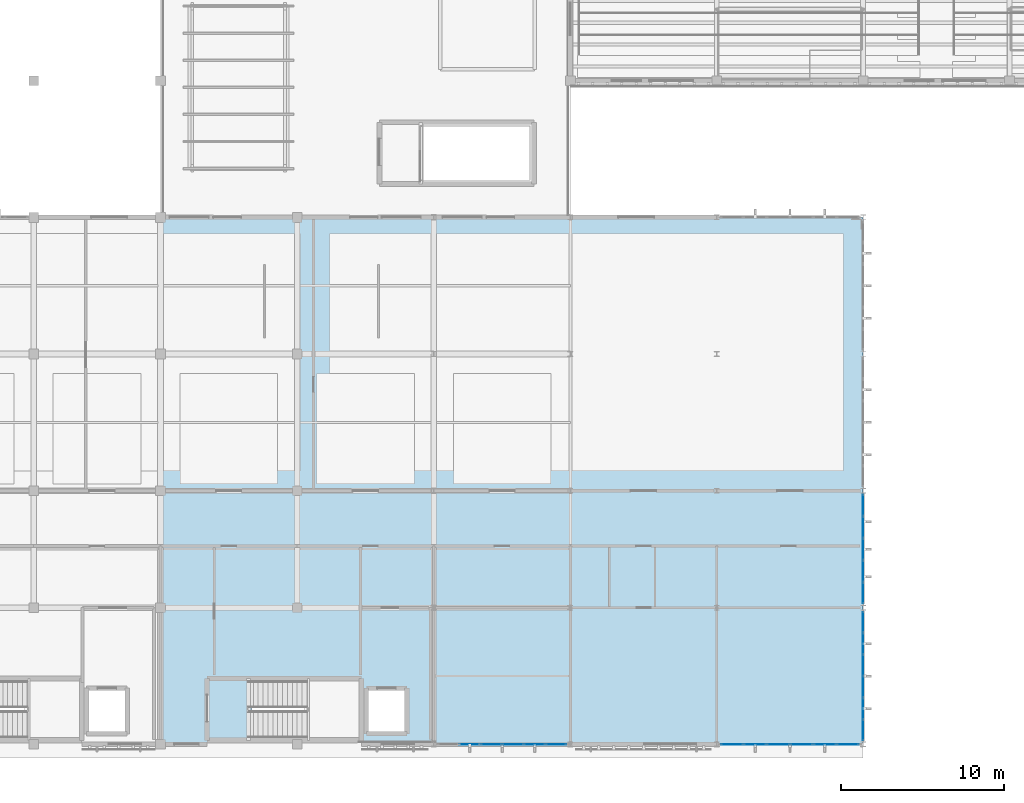
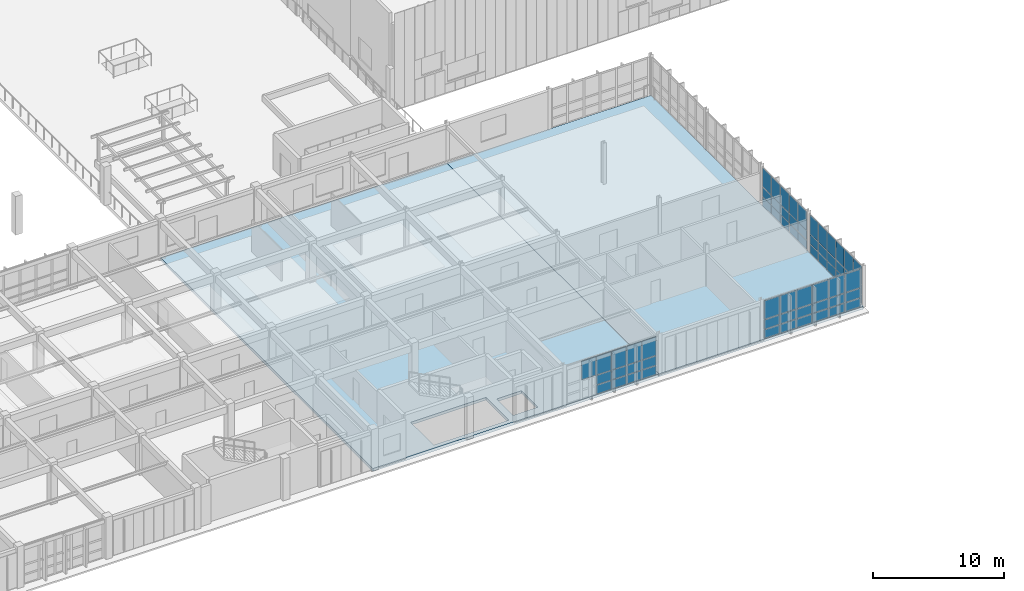
# One storey, part 35 of 67: 64 plates, 2 slabs, 4 elements without a shape of their own.
"""IFC4 building model written with IfcOpenShell, lengths in metres."""

import ifcopenshell
import ifcopenshell.guid

model = None  # the IFC model being written
_history = None  # IfcOwnerHistory: only IFC2X3 demands one
_inside = {}  # id of a spatial element -> (the spatial element, [elements in it])
_under = {}  # id of a project, library or spatial element -> (it, [spatial elements below it])
_declared = {}  # id of a project -> (the project, [libraries it declares])
_typed = {}  # id of a type object -> (the type object, [elements of that type])
_made_of = {}  # id of a material, layer set ... -> (it, [elements and type objects made of it])


def new_model(schema):
    """Start an empty IFC model of exactly this schema.

    Asked for "IFC4X3", IfcOpenShell would pick the latest addendum, in which some entities
    have other attributes; the version numbers below select the first issue.
    IFC2X3 requires an IfcOwnerHistory on every rooted entity: one is made here for all.
    """
    global model, _history
    if schema == "IFC4X3":
        model = ifcopenshell.file(schema_version=(4, 3, 0, 0))
    else:
        model = ifcopenshell.file(schema=schema)
    _inside.clear()
    _under.clear()
    _declared.clear()
    _typed.clear()
    _made_of.clear()
    _history = None
    if model.schema == "IFC2X3":
        org = make("IfcOrganization", Name="unknown")
        user = make(
            "IfcPersonAndOrganization",
            ThePerson=make("IfcPerson", FamilyName="unknown"),
            TheOrganization=org,
        )
        app = make(
            "IfcApplication",
            ApplicationDeveloper=org,
            Version="unknown",
            ApplicationFullName="unknown",
            ApplicationIdentifier="unknown",
        )
        _history = make(
            "IfcOwnerHistory",
            OwningUser=user,
            OwningApplication=app,
            ChangeAction="ADDED",
            CreationDate=0,
        )
    return model


def make(cls, **values):
    """One entity of the class cls with the attributes given. An attribute that is None is left unset."""
    return model.create_entity(
        cls, **{name: value for name, value in values.items() if value is not None}
    )


def rooted(cls, **values):
    """An entity with a GlobalId (a new one), such as an element, a storey or a relation."""
    return make(cls, GlobalId=ifcopenshell.guid.new(), OwnerHistory=_history, **values)


def si_unit(unit_type, name, prefix=None):
    """IfcSIUnit, for example si_unit("LENGTHUNIT", "METRE", prefix="MILLI")."""
    return make("IfcSIUnit", UnitType=unit_type, Prefix=prefix, Name=name)


def assignment(units):
    """IfcUnitAssignment: the units of a project."""
    return None if units is None else make("IfcUnitAssignment", Units=units)


def point(xyz):
    """IfcCartesianPoint."""
    return None if xyz is None else make("IfcCartesianPoint", Coordinates=xyz)


def direction(xyz):
    """IfcDirection."""
    return None if xyz is None else make("IfcDirection", DirectionRatios=xyz)


def frame(location, z_axis=None, x_axis=None):
    """IfcAxis2Placement3D, a coordinate frame: its origin and axes. An axis left out is left unset."""
    return make(
        "IfcAxis2Placement3D",
        Location=point(location),
        Axis=direction(z_axis),
        RefDirection=direction(x_axis),
    )


def frame_2d(location, x_axis=None):
    """IfcAxis2Placement2D, a coordinate frame in the plane: its origin and x axis."""
    return make(
        "IfcAxis2Placement2D", Location=point(location), RefDirection=direction(x_axis)
    )


def origin():
    """The frame at (0, 0, 0) with its axes left unset."""
    return frame((0.0, 0.0, 0.0))


def origin_2d():
    """The frame at (0, 0) in the plane with its x axis left unset."""
    return frame_2d((0.0, 0.0))


def place(relative_to, where):
    """IfcLocalPlacement: puts the frame where relative to a parent placement (None: the world)."""
    return make(
        "IfcLocalPlacement", PlacementRelTo=relative_to, RelativePlacement=where
    )


def context(
    kind, dimensions, precision=None, world=None, true_north=None, identifier=None
):
    """IfcGeometricRepresentationContext, for example the 3D "Model" context."""
    return make(
        "IfcGeometricRepresentationContext",
        ContextIdentifier=identifier,
        ContextType=kind,
        CoordinateSpaceDimension=dimensions,
        Precision=precision,
        WorldCoordinateSystem=world,
        TrueNorth=true_north,
    )


def subcontext(parent, identifier, kind, view, scale=None):
    """IfcGeometricRepresentationSubContext, for example "Body" below "Model"."""
    return make(
        "IfcGeometricRepresentationSubContext",
        ContextIdentifier=identifier,
        ContextType=kind,
        ParentContext=parent,
        TargetScale=scale,
        TargetView=view,
    )


def project(units=None, contexts=None):
    """IfcProject with its units and contexts."""
    return rooted(
        "IfcProject",
        Name="project",
        RepresentationContexts=contexts,
        UnitsInContext=assignment(units),
    )


def spatial(cls, under=None, at=None, **own):
    """A site, building, storey or space (cls), placed at a placement, below another one or the project."""
    s = rooted(cls, ObjectPlacement=at, **own)
    if under is not None:
        _under.setdefault(under.id(), (under, []))[1].append(s)
    return s


def polyline(points):
    """IfcPolyline through the points."""
    return make("IfcPolyline", Points=[point(p) for p in points])


def profile(cls, at=None, kind="AREA", **sizes):
    """A parametric profile (cls). Its sizes go by their IFC names, for example OverallWidth=200.0."""
    return make(cls, ProfileType=kind, Position=at, **sizes)


def rectangle(**sizes):
    """IfcRectangleProfileDef."""
    return profile("IfcRectangleProfileDef", **sizes)


def outline(outer, holes=None, kind="AREA"):
    """IfcArbitraryClosedProfileDef: a profile drawn as a closed curve; with holes, ...WithVoids."""
    if holes is None:
        return make("IfcArbitraryClosedProfileDef", ProfileType=kind, OuterCurve=outer)
    return make(
        "IfcArbitraryProfileDefWithVoids",
        ProfileType=kind,
        OuterCurve=outer,
        InnerCurves=holes,
    )


def extrude(swept, where, along, depth):
    """IfcExtrudedAreaSolid: the profile swept, set in the frame where, extruded along a direction by depth."""
    return make(
        "IfcExtrudedAreaSolid",
        SweptArea=swept,
        Position=where,
        ExtrudedDirection=direction(along),
        Depth=depth,
    )


def shape(context_of_items, identifier, shape_type, items):
    """IfcShapeRepresentation: the items that make up one representation, for example the "Body"."""
    return make(
        "IfcShapeRepresentation",
        ContextOfItems=context_of_items,
        RepresentationIdentifier=identifier,
        RepresentationType=shape_type,
        Items=items,
    )


def material(Name=None, Category=None):
    """IfcMaterial."""
    return make("IfcMaterial", Name=Name, Category=Category)


def layer(
    of_material, thickness, ventilated=None, Name=None, Category=None, Priority=None
):
    """IfcMaterialLayer: one layer of a wall or slab, of a material (None: an air gap)."""
    return make(
        "IfcMaterialLayer",
        Material=of_material,
        LayerThickness=thickness,
        IsVentilated=ventilated,
        Name=Name,
        Category=Category,
        Priority=Priority,
    )


def layer_set(layers, Name=None):
    """IfcMaterialLayerSet."""
    return make("IfcMaterialLayerSet", MaterialLayers=layers, LayerSetName=Name)


def made_of(thing, what):
    """Note that an element or type object is made of a material, layer set ...; save() writes the relation."""
    if what is not None:
        _made_of.setdefault(what.id(), (what, []))[1].append(thing)
    return thing


def type_object(cls, material=None, **own):
    """A type object (cls), such as IfcWallType, which elements share."""
    return made_of(rooted(cls, **own), material)


def element(
    cls,
    number,
    at=None,
    inside=None,
    cuts=None,
    type_object=None,
    material=None,
    context=None,
    identifier="Body",
    shape_type=None,
    held_by="IfcProductDefinitionShape",
    body=None,
    shapes=None,
    **own,
):
    """One element of the class cls, such as IfcWall. Its Tag is "e" and its number.

    at: its placement. inside: the storey or other place that contains it. cuts: it is an
    opening in that element (IfcRelVoidsElement). A single representation is given by context,
    identifier, shape_type and body (its items); several are given by shapes. held_by: the class
    of the entity that holds the representations. save() writes the other relations.
    """
    e = rooted(cls, Tag="e%d" % number, ObjectPlacement=at, **own)
    if body is not None:
        shapes = [shape(context, identifier, shape_type, body)]
    if shapes is not None:
        e.Representation = make(held_by, Representations=shapes)
    if inside is not None:
        _inside.setdefault(inside.id(), (inside, []))[1].append(e)
    if cuts is not None:
        rooted(
            "IfcRelVoidsElement", RelatingBuildingElement=cuts, RelatedOpeningElement=e
        )
    if type_object is not None:
        _typed.setdefault(type_object.id(), (type_object, []))[1].append(e)
    return made_of(e, material)


def aggregate(whole, parts):
    """IfcRelAggregates: a whole, such as a stair, and the parts it consists of."""
    return rooted("IfcRelAggregates", RelatingObject=whole, RelatedObjects=parts)


def save(model, path):
    """Write the relations noted so far, then the file.

    IfcRelAggregates (storeys below a building ...), IfcRelContainedInSpatialStructure (elements
    in a storey), IfcRelDefinesByType, IfcRelAssociatesMaterial and IfcRelDeclares: one each for
    every whole, place, type object, material and project.
    """
    for whole, parts in _under.values():
        aggregate(whole, parts)
    for where, things in _inside.values():
        rooted(
            "IfcRelContainedInSpatialStructure",
            RelatedElements=things,
            RelatingStructure=where,
        )
    for kind, things in _typed.values():
        rooted("IfcRelDefinesByType", RelatedObjects=things, RelatingType=kind)
    for what, things in _made_of.values():
        rooted("IfcRelAssociatesMaterial", RelatedObjects=things, RelatingMaterial=what)
    for by, libraries in _declared.values():
        rooted("IfcRelDeclares", RelatingContext=by, RelatedDefinitions=libraries)
    model.write(path)


model = new_model("IFC4")

# Units and contexts
model_context = context("Model", 3, precision=1e-05, world=origin(), true_north=direction((0.0, 1.0)))
body_context = subcontext(model_context, "Body", "Model", "MODEL_VIEW")
ifc_project = project(units=[si_unit("LENGTHUNIT", "METRE"), si_unit("AREAUNIT", "SQUARE_METRE"), si_unit("VOLUMEUNIT", "CUBIC_METRE"), si_unit("PLANEANGLEUNIT", "RADIAN"), si_unit("MASSUNIT", "GRAM", prefix="KILO")], contexts=[model_context])

# Site, building, storey
site_placement = place(None, origin())
site = spatial("IfcSite", under=ifc_project, at=site_placement, CompositionType="ELEMENT")
building_placement = place(site_placement, origin())
building = spatial("IfcBuilding", under=site, at=building_placement, Name="Tizgana Railside Sports Hall", CompositionType="ELEMENT")
storey_placement = place(building_placement, frame((0.0, 0.0, 12.0)))
storey = spatial("IfcBuildingStorey", under=building, at=storey_placement, Name="L02", CompositionType="ELEMENT", Elevation=12.0)

# Curtain wall, plates
ifc_material_1 = material(Name="Anodised aluminium and glass", Category="aluminium")
curtain_wall_type_1 = type_object("IfcCurtainWallType", Name="Unitised Curtain Wall Foyer 1300", PredefinedType="NOTDEFINED", material=ifc_material_1)
curtain_wall_1_placement = place(storey_placement, origin())
curtain_wall_1 = element("IfcCurtainWall", 1, at=curtain_wall_1_placement, inside=storey, type_object=curtain_wall_type_1, Name="L02 Curtain Wall CW-0105", PredefinedType="NOTDEFINED")
ifc_material_2 = material(Name="Double low-E laminated glass", Category="glass")
ifc_layer_1 = layer(ifc_material_2, 0.033935546875, Name="Double low-E laminated glass")
ifc_layer_set_1 = layer_set([ifc_layer_1], Name="Double low-E laminated glass")
plate_type_1 = type_object("IfcPlateType", Name="Acoustic Laminated Glazing Panel 34", PredefinedType="CURTAIN_PANEL", material=ifc_layer_set_1)
plate_1_placement = place(storey_placement, frame((78.912841796875, 0.0, 0.06494140625), z_axis=(0.0, 0.0, 1.0), x_axis=(-1.0, 0.0, 0.0)))
plate_1 = element("IfcPlate", 2, at=plate_1_placement, type_object=plate_type_1, Name="CW-02 panel 1.1", PredefinedType="CURTAIN_PANEL", context=body_context, shape_type="SweptSolid", body=[
    extrude(rectangle(XDim=1.234130859375, YDim=0.033935546875, at=origin_2d()), origin(), (0.0, 0.0, 1.0), 0.802490234375),
])
plate_2_placement = place(storey_placement, frame((78.912841796875, 0.0, 0.9326171875), z_axis=(0.0, 0.0, 1.0), x_axis=(-1.0, 0.0, 0.0)))
plate_2 = element("IfcPlate", 3, at=plate_2_placement, type_object=plate_type_1, Name="CW-02 panel 1.2", PredefinedType="CURTAIN_PANEL", context=body_context, shape_type="SweptSolid", body=[
    extrude(rectangle(XDim=1.234130859375, YDim=0.033935546875, at=origin_2d()), origin(), (0.0, 0.0, 1.0), 0.85498046875),
])
plate_3_placement = place(storey_placement, frame((78.912841796875, 0.0, 1.8525390625), z_axis=(0.0, 0.0, 1.0), x_axis=(-1.0, 0.0, 0.0)))
plate_3 = element("IfcPlate", 4, at=plate_3_placement, type_object=plate_type_1, Name="CW-02 panel 1.3", PredefinedType="CURTAIN_PANEL", context=body_context, shape_type="SweptSolid", body=[
    extrude(rectangle(XDim=1.234130859375, YDim=0.033935546875, at=origin_2d()), origin(), (0.0, 0.0, 1.0), 1.722412109375),
])
plate_4_placement = place(storey_placement, frame((77.597412109375, 0.0, 0.06494140625), z_axis=(0.0, 0.0, 1.0), x_axis=(-1.0, 0.0, 0.0)))
plate_4 = element("IfcPlate", 5, at=plate_4_placement, type_object=plate_type_1, Name="CW-02 panel 2.1", PredefinedType="CURTAIN_PANEL", context=body_context, shape_type="SweptSolid", body=[
    extrude(rectangle(XDim=1.2666015625, YDim=0.033935546875, at=origin_2d()), origin(), (0.0, 0.0, 1.0), 0.802490234375),
])
plate_5_placement = place(storey_placement, frame((77.597412109375, 0.0, 0.9326171875), z_axis=(0.0, 0.0, 1.0), x_axis=(-1.0, 0.0, 0.0)))
plate_5 = element("IfcPlate", 6, at=plate_5_placement, type_object=plate_type_1, Name="CW-02 panel 2.2", PredefinedType="CURTAIN_PANEL", context=body_context, shape_type="SweptSolid", body=[
    extrude(rectangle(XDim=1.2666015625, YDim=0.033935546875, at=origin_2d()), origin(), (0.0, 0.0, 1.0), 0.85498046875),
])
plate_6_placement = place(storey_placement, frame((77.597412109375, 0.0, 1.8525390625), z_axis=(0.0, 0.0, 1.0), x_axis=(-1.0, 0.0, 0.0)))
plate_6 = element("IfcPlate", 7, at=plate_6_placement, type_object=plate_type_1, Name="CW-02 panel 2.3", PredefinedType="CURTAIN_PANEL", context=body_context, shape_type="SweptSolid", body=[
    extrude(rectangle(XDim=1.2666015625, YDim=0.033935546875, at=origin_2d()), origin(), (0.0, 0.0, 1.0), 1.722412109375),
])
plate_7_placement = place(storey_placement, frame((76.265869140625, 0.0, 0.06494140625), z_axis=(0.0, 0.0, 1.0), x_axis=(-1.0, 0.0, 0.0)))
plate_7 = element("IfcPlate", 8, at=plate_7_placement, type_object=plate_type_1, Name="CW-02 panel 3.1", PredefinedType="CURTAIN_PANEL", context=body_context, shape_type="SweptSolid", body=[
    extrude(rectangle(XDim=1.2666015625, YDim=0.033935546875, at=origin_2d()), origin(), (0.0, 0.0, 1.0), 0.802490234375),
])
plate_8_placement = place(storey_placement, frame((76.265869140625, 0.0, 0.9326171875), z_axis=(0.0, 0.0, 1.0), x_axis=(-1.0, 0.0, 0.0)))
plate_8 = element("IfcPlate", 9, at=plate_8_placement, type_object=plate_type_1, Name="CW-02 panel 3.2", PredefinedType="CURTAIN_PANEL", context=body_context, shape_type="SweptSolid", body=[
    extrude(rectangle(XDim=1.2666015625, YDim=0.033935546875, at=origin_2d()), origin(), (0.0, 0.0, 1.0), 0.85498046875),
])
plate_9_placement = place(storey_placement, frame((76.265869140625, 0.0, 1.8525390625), z_axis=(0.0, 0.0, 1.0), x_axis=(-1.0, 0.0, 0.0)))
plate_9 = element("IfcPlate", 10, at=plate_9_placement, type_object=plate_type_1, Name="CW-02 panel 3.3", PredefinedType="CURTAIN_PANEL", context=body_context, shape_type="SweptSolid", body=[
    extrude(rectangle(XDim=1.2666015625, YDim=0.033935546875, at=origin_2d()), origin(), (0.0, 0.0, 1.0), 1.722412109375),
])
plate_10_placement = place(storey_placement, frame((74.93408203125, 0.0, 0.06494140625), z_axis=(0.0, 0.0, 1.0), x_axis=(-1.0, 0.0, 0.0)))
plate_10 = element("IfcPlate", 11, at=plate_10_placement, type_object=plate_type_1, Name="CW-02 panel 4.1", PredefinedType="CURTAIN_PANEL", context=body_context, shape_type="SweptSolid", body=[
    extrude(rectangle(XDim=1.2666015625, YDim=0.033935546875, at=origin_2d()), origin(), (0.0, 0.0, 1.0), 0.802490234375),
])
plate_11_placement = place(storey_placement, frame((74.93408203125, 0.0, 0.9326171875), z_axis=(0.0, 0.0, 1.0), x_axis=(-1.0, 0.0, 0.0)))
plate_11 = element("IfcPlate", 12, at=plate_11_placement, type_object=plate_type_1, Name="CW-02 panel 4.2", PredefinedType="CURTAIN_PANEL", context=body_context, shape_type="SweptSolid", body=[
    extrude(rectangle(XDim=1.2666015625, YDim=0.033935546875, at=origin_2d()), origin(), (0.0, 0.0, 1.0), 0.85498046875),
])
plate_12_placement = place(storey_placement, frame((74.93408203125, 0.0, 1.8525390625), z_axis=(0.0, 0.0, 1.0), x_axis=(-1.0, 0.0, 0.0)))
plate_12 = element("IfcPlate", 13, at=plate_12_placement, type_object=plate_type_1, Name="CW-02 panel 4.3", PredefinedType="CURTAIN_PANEL", context=body_context, shape_type="SweptSolid", body=[
    extrude(rectangle(XDim=1.2666015625, YDim=0.033935546875, at=origin_2d()), origin(), (0.0, 0.0, 1.0), 1.722412109375),
])
plate_13_placement = place(storey_placement, frame((73.6025390625, 0.0, 1.8525390625), z_axis=(0.0, 0.0, 1.0), x_axis=(-1.0, 0.0, 0.0)))
plate_13 = element("IfcPlate", 14, at=plate_13_placement, type_object=plate_type_1, Name="CW-02 panel 5.3", PredefinedType="CURTAIN_PANEL", context=body_context, shape_type="SweptSolid", body=[
    extrude(rectangle(XDim=1.2666015625, YDim=0.033935546875, at=origin_2d()), origin(), (0.0, 0.0, 1.0), 1.722412109375),
])
aggregate(curtain_wall_1, [plate_1, plate_2, plate_3, plate_4, plate_5, plate_6, plate_7, plate_8, plate_9, plate_10, plate_11, plate_12, plate_13])

curtain_wall_type_2 = type_object("IfcCurtainWallType", Name="Unitised Curtain Wall Studio 1400", PredefinedType="NOTDEFINED", material=ifc_material_1)
curtain_wall_2_placement = place(storey_placement, origin())
curtain_wall_2 = element("IfcCurtainWall", 15, at=curtain_wall_2_placement, inside=storey, type_object=curtain_wall_type_2, Name="L02 Curtain Wall CW-0106", PredefinedType="NOTDEFINED")
ifc_layer_2 = layer(ifc_material_2, 0.0400390625, Name="Double low-E laminated glass")
ifc_layer_set_2 = layer_set([ifc_layer_2], Name="Double low-E laminated glass")
plate_type_2 = type_object("IfcPlateType", Name="High-Span Tempered Glazing Panel 40", PredefinedType="CURTAIN_PANEL", material=ifc_layer_set_2)
plate_14_placement = place(storey_placement, frame((96.861572265625, 0.0, 0.070068359375), z_axis=(0.0, 0.0, 1.0), x_axis=(-1.0, 0.0, 0.0)))
plate_14 = element("IfcPlate", 16, at=plate_14_placement, type_object=plate_type_2, Name="CW-03 panel 1.1", PredefinedType="CURTAIN_PANEL", context=body_context, shape_type="SweptSolid", body=[
    extrude(rectangle(XDim=1.32666015625, YDim=0.0400390625, at=origin_2d()), origin(), (0.0, 0.0, 1.0), 0.794921875),
])
plate_15_placement = place(storey_placement, frame((96.861572265625, 0.0, 0.93505859375), z_axis=(0.0, 0.0, 1.0), x_axis=(-1.0, 0.0, 0.0)))
plate_15 = element("IfcPlate", 17, at=plate_15_placement, type_object=plate_type_2, Name="CW-03 panel 1.2", PredefinedType="CURTAIN_PANEL", context=body_context, shape_type="SweptSolid", body=[
    extrude(rectangle(XDim=1.32666015625, YDim=0.0400390625, at=origin_2d()), origin(), (0.0, 0.0, 1.0), 0.85009765625),
])
plate_16_placement = place(storey_placement, frame((96.861572265625, 0.0, 1.85498046875), z_axis=(0.0, 0.0, 1.0), x_axis=(-1.0, 0.0, 0.0)))
plate_16 = element("IfcPlate", 18, at=plate_16_placement, type_object=plate_type_2, Name="CW-03 panel 1.3", PredefinedType="CURTAIN_PANEL", context=body_context, shape_type="SweptSolid", body=[
    extrude(rectangle(XDim=1.32666015625, YDim=0.0400390625, at=origin_2d()), origin(), (0.0, 0.0, 1.0), 1.715087890625),
])
plate_17_placement = place(storey_placement, frame((95.447509765625, 0.0, 0.070068359375), z_axis=(0.0, 0.0, 1.0), x_axis=(-1.0, 0.0, 0.0)))
plate_17 = element("IfcPlate", 19, at=plate_17_placement, type_object=plate_type_2, Name="CW-03 panel 2.1", PredefinedType="CURTAIN_PANEL", context=body_context, shape_type="SweptSolid", body=[
    extrude(rectangle(XDim=1.361572265625, YDim=0.0400390625, at=origin_2d()), origin(), (0.0, 0.0, 1.0), 0.794921875),
])
plate_18_placement = place(storey_placement, frame((95.447509765625, 0.0, 0.93505859375), z_axis=(0.0, 0.0, 1.0), x_axis=(-1.0, 0.0, 0.0)))
plate_18 = element("IfcPlate", 20, at=plate_18_placement, type_object=plate_type_2, Name="CW-03 panel 2.2", PredefinedType="CURTAIN_PANEL", context=body_context, shape_type="SweptSolid", body=[
    extrude(rectangle(XDim=1.361572265625, YDim=0.0400390625, at=origin_2d()), origin(), (0.0, 0.0, 1.0), 0.85009765625),
])
plate_19_placement = place(storey_placement, frame((95.447509765625, 0.0, 1.85498046875), z_axis=(0.0, 0.0, 1.0), x_axis=(-1.0, 0.0, 0.0)))
plate_19 = element("IfcPlate", 21, at=plate_19_placement, type_object=plate_type_2, Name="CW-03 panel 2.3", PredefinedType="CURTAIN_PANEL", context=body_context, shape_type="SweptSolid", body=[
    extrude(rectangle(XDim=1.361572265625, YDim=0.0400390625, at=origin_2d()), origin(), (0.0, 0.0, 1.0), 1.715087890625),
])
plate_20_placement = place(storey_placement, frame((94.015869140625, 0.0, 0.070068359375), z_axis=(0.0, 0.0, 1.0), x_axis=(-1.0, 0.0, 0.0)))
plate_20 = element("IfcPlate", 22, at=plate_20_placement, type_object=plate_type_2, Name="CW-03 panel 3.1", PredefinedType="CURTAIN_PANEL", context=body_context, shape_type="SweptSolid", body=[
    extrude(rectangle(XDim=1.361572265625, YDim=0.0400390625, at=origin_2d()), origin(), (0.0, 0.0, 1.0), 0.794921875),
])
plate_21_placement = place(storey_placement, frame((94.015869140625, 0.0, 0.93505859375), z_axis=(0.0, 0.0, 1.0), x_axis=(-1.0, 0.0, 0.0)))
plate_21 = element("IfcPlate", 23, at=plate_21_placement, type_object=plate_type_2, Name="CW-03 panel 3.2", PredefinedType="CURTAIN_PANEL", context=body_context, shape_type="SweptSolid", body=[
    extrude(rectangle(XDim=1.361572265625, YDim=0.0400390625, at=origin_2d()), origin(), (0.0, 0.0, 1.0), 0.85009765625),
])
plate_22_placement = place(storey_placement, frame((94.015869140625, 0.0, 1.85498046875), z_axis=(0.0, 0.0, 1.0), x_axis=(-1.0, 0.0, 0.0)))
plate_22 = element("IfcPlate", 24, at=plate_22_placement, type_object=plate_type_2, Name="CW-03 panel 3.3", PredefinedType="CURTAIN_PANEL", context=body_context, shape_type="SweptSolid", body=[
    extrude(rectangle(XDim=1.361572265625, YDim=0.0400390625, at=origin_2d()), origin(), (0.0, 0.0, 1.0), 1.715087890625),
])
plate_23_placement = place(storey_placement, frame((92.584228515625, 0.0, 0.070068359375), z_axis=(0.0, 0.0, 1.0), x_axis=(-1.0, 0.0, 0.0)))
plate_23 = element("IfcPlate", 25, at=plate_23_placement, type_object=plate_type_2, Name="CW-03 panel 4.1", PredefinedType="CURTAIN_PANEL", context=body_context, shape_type="SweptSolid", body=[
    extrude(rectangle(XDim=1.361572265625, YDim=0.0400390625, at=origin_2d()), origin(), (0.0, 0.0, 1.0), 0.794921875),
])
plate_24_placement = place(storey_placement, frame((92.584228515625, 0.0, 0.93505859375), z_axis=(0.0, 0.0, 1.0), x_axis=(-1.0, 0.0, 0.0)))
plate_24 = element("IfcPlate", 26, at=plate_24_placement, type_object=plate_type_2, Name="CW-03 panel 4.2", PredefinedType="CURTAIN_PANEL", context=body_context, shape_type="SweptSolid", body=[
    extrude(rectangle(XDim=1.361572265625, YDim=0.0400390625, at=origin_2d()), origin(), (0.0, 0.0, 1.0), 0.85009765625),
])
plate_25_placement = place(storey_placement, frame((92.584228515625, 0.0, 1.85498046875), z_axis=(0.0, 0.0, 1.0), x_axis=(-1.0, 0.0, 0.0)))
plate_25 = element("IfcPlate", 27, at=plate_25_placement, type_object=plate_type_2, Name="CW-03 panel 4.3", PredefinedType="CURTAIN_PANEL", context=body_context, shape_type="SweptSolid", body=[
    extrude(rectangle(XDim=1.361572265625, YDim=0.0400390625, at=origin_2d()), origin(), (0.0, 0.0, 1.0), 1.715087890625),
])
plate_26_placement = place(storey_placement, frame((91.152587890625, 0.0, 0.070068359375), z_axis=(0.0, 0.0, 1.0), x_axis=(-1.0, 0.0, 0.0)))
plate_26 = element("IfcPlate", 28, at=plate_26_placement, type_object=plate_type_2, Name="CW-03 panel 5.1", PredefinedType="CURTAIN_PANEL", context=body_context, shape_type="SweptSolid", body=[
    extrude(rectangle(XDim=1.361572265625, YDim=0.0400390625, at=origin_2d()), origin(), (0.0, 0.0, 1.0), 0.794921875),
])
plate_27_placement = place(storey_placement, frame((91.152587890625, 0.0, 0.93505859375), z_axis=(0.0, 0.0, 1.0), x_axis=(-1.0, 0.0, 0.0)))
plate_27 = element("IfcPlate", 29, at=plate_27_placement, type_object=plate_type_2, Name="CW-03 panel 5.2", PredefinedType="CURTAIN_PANEL", context=body_context, shape_type="SweptSolid", body=[
    extrude(rectangle(XDim=1.361572265625, YDim=0.0400390625, at=origin_2d()), origin(), (0.0, 0.0, 1.0), 0.85009765625),
])
plate_28_placement = place(storey_placement, frame((91.152587890625, 0.0, 1.85498046875), z_axis=(0.0, 0.0, 1.0), x_axis=(-1.0, 0.0, 0.0)))
plate_28 = element("IfcPlate", 30, at=plate_28_placement, type_object=plate_type_2, Name="CW-03 panel 5.3", PredefinedType="CURTAIN_PANEL", context=body_context, shape_type="SweptSolid", body=[
    extrude(rectangle(XDim=1.361572265625, YDim=0.0400390625, at=origin_2d()), origin(), (0.0, 0.0, 1.0), 1.715087890625),
])
plate_29_placement = place(storey_placement, frame((89.73828125, 0.0, 0.070068359375), z_axis=(0.0, 0.0, 1.0), x_axis=(-1.0, 0.0, 0.0)))
plate_29 = element("IfcPlate", 31, at=plate_29_placement, type_object=plate_type_2, Name="CW-03 panel 6.1", PredefinedType="CURTAIN_PANEL", context=body_context, shape_type="SweptSolid", body=[
    extrude(rectangle(XDim=1.32666015625, YDim=0.0400390625, at=origin_2d()), origin(), (0.0, 0.0, 1.0), 0.794921875),
])
plate_30_placement = place(storey_placement, frame((89.73828125, 0.0, 0.93505859375), z_axis=(0.0, 0.0, 1.0), x_axis=(-1.0, 0.0, 0.0)))
plate_30 = element("IfcPlate", 32, at=plate_30_placement, type_object=plate_type_2, Name="CW-03 panel 6.2", PredefinedType="CURTAIN_PANEL", context=body_context, shape_type="SweptSolid", body=[
    extrude(rectangle(XDim=1.32666015625, YDim=0.0400390625, at=origin_2d()), origin(), (0.0, 0.0, 1.0), 0.85009765625),
])
plate_31_placement = place(storey_placement, frame((89.73828125, 0.0, 1.85498046875), z_axis=(0.0, 0.0, 1.0), x_axis=(-1.0, 0.0, 0.0)))
plate_31 = element("IfcPlate", 33, at=plate_31_placement, type_object=plate_type_2, Name="CW-03 panel 6.3", PredefinedType="CURTAIN_PANEL", context=body_context, shape_type="SweptSolid", body=[
    extrude(rectangle(XDim=1.32666015625, YDim=0.0400390625, at=origin_2d()), origin(), (0.0, 0.0, 1.0), 1.715087890625),
])
aggregate(curtain_wall_2, [plate_14, plate_15, plate_16, plate_17, plate_18, plate_19, plate_20, plate_21, plate_22, plate_23, plate_24, plate_25, plate_26, plate_27, plate_28, plate_29, plate_30, plate_31])

curtain_wall_type_3 = type_object("IfcCurtainWallType", Name="Unitised Curtain Wall Climbing 1600", PredefinedType="NOTDEFINED", material=ifc_material_1)
curtain_wall_3_placement = place(storey_placement, origin())
curtain_wall_3 = element("IfcCurtainWall", 34, at=curtain_wall_3_placement, inside=storey, type_object=curtain_wall_type_3, Name="L02 Curtain Wall CW-0115", PredefinedType="NOTDEFINED")
ifc_layer_3 = layer(ifc_material_2, 0.031982421875, Name="Double low-E laminated glass")
ifc_layer_set_3 = layer_set([ifc_layer_3], Name="Double low-E laminated glass")
plate_type_3 = type_object("IfcPlateType", Name="North-Light Clerestory Glazing Panel 32", PredefinedType="CURTAIN_PANEL", material=ifc_layer_set_3)
plate_32_placement = place(storey_placement, frame((97.800048828125, 7.51416015625, 0.06005859375), z_axis=(0.0, 0.0, 1.0), x_axis=(0.0, -1.0, 0.0)))
plate_32 = element("IfcPlate", 35, at=plate_32_placement, type_object=plate_type_3, Name="CW-04 panel 1.1", PredefinedType="CURTAIN_PANEL", context=body_context, shape_type="SweptSolid", body=[
    extrude(rectangle(XDim=1.24169921875, YDim=0.031982421875, at=origin_2d()), origin(), (0.0, 0.0, 1.0), 0.81005859375),
])
plate_33_placement = place(storey_placement, frame((97.800048828125, 7.51416015625, 0.93017578125), z_axis=(0.0, 0.0, 1.0), x_axis=(0.0, -1.0, 0.0)))
plate_33 = element("IfcPlate", 36, at=plate_33_placement, type_object=plate_type_3, Name="CW-04 panel 1.2", PredefinedType="CURTAIN_PANEL", context=body_context, shape_type="SweptSolid", body=[
    extrude(rectangle(XDim=1.24169921875, YDim=0.031982421875, at=origin_2d()), origin(), (0.0, 0.0, 1.0), 0.860107421875),
])
plate_34_placement = place(storey_placement, frame((97.800048828125, 7.51416015625, 1.85009765625), z_axis=(0.0, 0.0, 1.0), x_axis=(0.0, -1.0, 0.0)))
plate_34 = element("IfcPlate", 37, at=plate_34_placement, type_object=plate_type_3, Name="CW-04 panel 1.3", PredefinedType="CURTAIN_PANEL", context=body_context, shape_type="SweptSolid", body=[
    extrude(rectangle(XDim=1.24169921875, YDim=0.031982421875, at=origin_2d()), origin(), (0.0, 0.0, 1.0), 1.72998046875),
])
plate_35_placement = place(storey_placement, frame((97.800048828125, 6.197509765625, 0.06005859375), z_axis=(0.0, 0.0, 1.0), x_axis=(0.0, -1.0, 0.0)))
plate_35 = element("IfcPlate", 38, at=plate_35_placement, type_object=plate_type_3, Name="CW-04 panel 2.1", PredefinedType="CURTAIN_PANEL", context=body_context, shape_type="SweptSolid", body=[
    extrude(rectangle(XDim=1.271728515625, YDim=0.031982421875, at=origin_2d()), origin(), (0.0, 0.0, 1.0), 0.81005859375),
])
plate_36_placement = place(storey_placement, frame((97.800048828125, 6.197509765625, 0.93017578125), z_axis=(0.0, 0.0, 1.0), x_axis=(0.0, -1.0, 0.0)))
plate_36 = element("IfcPlate", 39, at=plate_36_placement, type_object=plate_type_3, Name="CW-04 panel 2.2", PredefinedType="CURTAIN_PANEL", context=body_context, shape_type="SweptSolid", body=[
    extrude(rectangle(XDim=1.271728515625, YDim=0.031982421875, at=origin_2d()), origin(), (0.0, 0.0, 1.0), 0.860107421875),
])
plate_37_placement = place(storey_placement, frame((97.800048828125, 6.197509765625, 1.85009765625), z_axis=(0.0, 0.0, 1.0), x_axis=(0.0, -1.0, 0.0)))
plate_37 = element("IfcPlate", 40, at=plate_37_placement, type_object=plate_type_3, Name="CW-04 panel 2.3", PredefinedType="CURTAIN_PANEL", context=body_context, shape_type="SweptSolid", body=[
    extrude(rectangle(XDim=1.271728515625, YDim=0.031982421875, at=origin_2d()), origin(), (0.0, 0.0, 1.0), 1.72998046875),
])
plate_38_placement = place(storey_placement, frame((97.800048828125, 4.86572265625, 0.06005859375), z_axis=(0.0, 0.0, 1.0), x_axis=(0.0, -1.0, 0.0)))
plate_38 = element("IfcPlate", 41, at=plate_38_placement, type_object=plate_type_3, Name="CW-04 panel 3.1", PredefinedType="CURTAIN_PANEL", context=body_context, shape_type="SweptSolid", body=[
    extrude(rectangle(XDim=1.271728515625, YDim=0.031982421875, at=origin_2d()), origin(), (0.0, 0.0, 1.0), 0.81005859375),
])
plate_39_placement = place(storey_placement, frame((97.800048828125, 4.86572265625, 0.93017578125), z_axis=(0.0, 0.0, 1.0), x_axis=(0.0, -1.0, 0.0)))
plate_39 = element("IfcPlate", 42, at=plate_39_placement, type_object=plate_type_3, Name="CW-04 panel 3.2", PredefinedType="CURTAIN_PANEL", context=body_context, shape_type="SweptSolid", body=[
    extrude(rectangle(XDim=1.271728515625, YDim=0.031982421875, at=origin_2d()), origin(), (0.0, 0.0, 1.0), 0.860107421875),
])
plate_40_placement = place(storey_placement, frame((97.800048828125, 4.86572265625, 1.85009765625), z_axis=(0.0, 0.0, 1.0), x_axis=(0.0, -1.0, 0.0)))
plate_40 = element("IfcPlate", 43, at=plate_40_placement, type_object=plate_type_3, Name="CW-04 panel 3.3", PredefinedType="CURTAIN_PANEL", context=body_context, shape_type="SweptSolid", body=[
    extrude(rectangle(XDim=1.271728515625, YDim=0.031982421875, at=origin_2d()), origin(), (0.0, 0.0, 1.0), 1.72998046875),
])
plate_41_placement = place(storey_placement, frame((97.800048828125, 3.5341796875, 0.06005859375), z_axis=(0.0, 0.0, 1.0), x_axis=(0.0, -1.0, 0.0)))
plate_41 = element("IfcPlate", 44, at=plate_41_placement, type_object=plate_type_3, Name="CW-04 panel 4.1", PredefinedType="CURTAIN_PANEL", context=body_context, shape_type="SweptSolid", body=[
    extrude(rectangle(XDim=1.271728515625, YDim=0.031982421875, at=origin_2d()), origin(), (0.0, 0.0, 1.0), 0.81005859375),
])
plate_42_placement = place(storey_placement, frame((97.800048828125, 3.5341796875, 0.93017578125), z_axis=(0.0, 0.0, 1.0), x_axis=(0.0, -1.0, 0.0)))
plate_42 = element("IfcPlate", 45, at=plate_42_placement, type_object=plate_type_3, Name="CW-04 panel 4.2", PredefinedType="CURTAIN_PANEL", context=body_context, shape_type="SweptSolid", body=[
    extrude(rectangle(XDim=1.271728515625, YDim=0.031982421875, at=origin_2d()), origin(), (0.0, 0.0, 1.0), 0.860107421875),
])
plate_43_placement = place(storey_placement, frame((97.800048828125, 3.5341796875, 1.85009765625), z_axis=(0.0, 0.0, 1.0), x_axis=(0.0, -1.0, 0.0)))
plate_43 = element("IfcPlate", 46, at=plate_43_placement, type_object=plate_type_3, Name="CW-04 panel 4.3", PredefinedType="CURTAIN_PANEL", context=body_context, shape_type="SweptSolid", body=[
    extrude(rectangle(XDim=1.271728515625, YDim=0.031982421875, at=origin_2d()), origin(), (0.0, 0.0, 1.0), 1.72998046875),
])
plate_44_placement = place(storey_placement, frame((97.800048828125, 2.202392578125, 0.06005859375), z_axis=(0.0, 0.0, 1.0), x_axis=(0.0, -1.0, 0.0)))
plate_44 = element("IfcPlate", 47, at=plate_44_placement, type_object=plate_type_3, Name="CW-04 panel 5.1", PredefinedType="CURTAIN_PANEL", context=body_context, shape_type="SweptSolid", body=[
    extrude(rectangle(XDim=1.271728515625, YDim=0.031982421875, at=origin_2d()), origin(), (0.0, 0.0, 1.0), 0.81005859375),
])
plate_45_placement = place(storey_placement, frame((97.800048828125, 2.202392578125, 0.93017578125), z_axis=(0.0, 0.0, 1.0), x_axis=(0.0, -1.0, 0.0)))
plate_45 = element("IfcPlate", 48, at=plate_45_placement, type_object=plate_type_3, Name="CW-04 panel 5.2", PredefinedType="CURTAIN_PANEL", context=body_context, shape_type="SweptSolid", body=[
    extrude(rectangle(XDim=1.271728515625, YDim=0.031982421875, at=origin_2d()), origin(), (0.0, 0.0, 1.0), 0.860107421875),
])
plate_46_placement = place(storey_placement, frame((97.800048828125, 2.202392578125, 1.85009765625), z_axis=(0.0, 0.0, 1.0), x_axis=(0.0, -1.0, 0.0)))
plate_46 = element("IfcPlate", 49, at=plate_46_placement, type_object=plate_type_3, Name="CW-04 panel 5.3", PredefinedType="CURTAIN_PANEL", context=body_context, shape_type="SweptSolid", body=[
    extrude(rectangle(XDim=1.271728515625, YDim=0.031982421875, at=origin_2d()), origin(), (0.0, 0.0, 1.0), 1.72998046875),
])
plate_47_placement = place(storey_placement, frame((97.800048828125, 0.8857421875, 0.06005859375), z_axis=(0.0, 0.0, 1.0), x_axis=(0.0, -1.0, 0.0)))
plate_47 = element("IfcPlate", 50, at=plate_47_placement, type_object=plate_type_3, Name="CW-04 panel 6.1", PredefinedType="CURTAIN_PANEL", context=body_context, shape_type="SweptSolid", body=[
    extrude(rectangle(XDim=1.24169921875, YDim=0.031982421875, at=origin_2d()), origin(), (0.0, 0.0, 1.0), 0.81005859375),
])
plate_48_placement = place(storey_placement, frame((97.800048828125, 0.8857421875, 0.93017578125), z_axis=(0.0, 0.0, 1.0), x_axis=(0.0, -1.0, 0.0)))
plate_48 = element("IfcPlate", 51, at=plate_48_placement, type_object=plate_type_3, Name="CW-04 panel 6.2", PredefinedType="CURTAIN_PANEL", context=body_context, shape_type="SweptSolid", body=[
    extrude(rectangle(XDim=1.24169921875, YDim=0.031982421875, at=origin_2d()), origin(), (0.0, 0.0, 1.0), 0.860107421875),
])
plate_49_placement = place(storey_placement, frame((97.800048828125, 0.8857421875, 1.85009765625), z_axis=(0.0, 0.0, 1.0), x_axis=(0.0, -1.0, 0.0)))
plate_49 = element("IfcPlate", 52, at=plate_49_placement, type_object=plate_type_3, Name="CW-04 panel 6.3", PredefinedType="CURTAIN_PANEL", context=body_context, shape_type="SweptSolid", body=[
    extrude(rectangle(XDim=1.24169921875, YDim=0.031982421875, at=origin_2d()), origin(), (0.0, 0.0, 1.0), 1.72998046875),
])
aggregate(curtain_wall_3, [plate_32, plate_33, plate_34, plate_35, plate_36, plate_37, plate_38, plate_39, plate_40, plate_41, plate_42, plate_43, plate_44, plate_45, plate_46, plate_47, plate_48, plate_49])

curtain_wall_type_4 = type_object("IfcCurtainWallType", Name="Unitised Curtain Wall Clinic 1200", PredefinedType="NOTDEFINED", material=ifc_material_1)
curtain_wall_4_placement = place(storey_placement, origin())
curtain_wall_4 = element("IfcCurtainWall", 53, at=curtain_wall_4_placement, inside=storey, type_object=curtain_wall_type_4, Name="L02 Curtain Wall CW-0116", PredefinedType="NOTDEFINED")
ifc_layer_4 = layer(ifc_material_2, 0.028076171875, Name="Double low-E laminated glass")
ifc_layer_set_4 = layer_set([ifc_layer_4], Name="Double low-E laminated glass")
plate_type_4 = type_object("IfcPlateType", Name="Solar Low-E Glazing Panel 28", PredefinedType="CURTAIN_PANEL", material=ifc_layer_set_4)
plate_50_placement = place(storey_placement, frame((97.800048828125, 14.700927734375, 0.06005859375), z_axis=(0.0, 0.0, 1.0), x_axis=(0.0, -1.0, 0.0)))
plate_50 = element("IfcPlate", 54, at=plate_50_placement, type_object=plate_type_4, Name="CW-05 panel 1.1", PredefinedType="CURTAIN_PANEL", context=body_context, shape_type="SweptSolid", body=[
    extrude(rectangle(XDim=1.26806640625, YDim=0.028076171875, at=origin_2d()), origin(), (0.0, 0.0, 1.0), 0.81005859375),
])
plate_51_placement = place(storey_placement, frame((97.800048828125, 14.700927734375, 0.93017578125), z_axis=(0.0, 0.0, 1.0), x_axis=(0.0, -1.0, 0.0)))
plate_51 = element("IfcPlate", 55, at=plate_51_placement, type_object=plate_type_4, Name="CW-05 panel 1.2", PredefinedType="CURTAIN_PANEL", context=body_context, shape_type="SweptSolid", body=[
    extrude(rectangle(XDim=1.26806640625, YDim=0.028076171875, at=origin_2d()), origin(), (0.0, 0.0, 1.0), 0.860107421875),
])
plate_52_placement = place(storey_placement, frame((97.800048828125, 14.700927734375, 1.85009765625), z_axis=(0.0, 0.0, 1.0), x_axis=(0.0, -1.0, 0.0)))
plate_52 = element("IfcPlate", 56, at=plate_52_placement, type_object=plate_type_4, Name="CW-05 panel 1.3", PredefinedType="CURTAIN_PANEL", context=body_context, shape_type="SweptSolid", body=[
    extrude(rectangle(XDim=1.26806640625, YDim=0.028076171875, at=origin_2d()), origin(), (0.0, 0.0, 1.0), 1.72998046875),
])
plate_53_placement = place(storey_placement, frame((97.800048828125, 13.35791015625, 0.06005859375), z_axis=(0.0, 0.0, 1.0), x_axis=(0.0, -1.0, 0.0)))
plate_53 = element("IfcPlate", 57, at=plate_53_placement, type_object=plate_type_4, Name="CW-05 panel 2.1", PredefinedType="CURTAIN_PANEL", context=body_context, shape_type="SweptSolid", body=[
    extrude(rectangle(XDim=1.298095703125, YDim=0.028076171875, at=origin_2d()), origin(), (0.0, 0.0, 1.0), 0.81005859375),
])
plate_54_placement = place(storey_placement, frame((97.800048828125, 13.35791015625, 0.93017578125), z_axis=(0.0, 0.0, 1.0), x_axis=(0.0, -1.0, 0.0)))
plate_54 = element("IfcPlate", 58, at=plate_54_placement, type_object=plate_type_4, Name="CW-05 panel 2.2", PredefinedType="CURTAIN_PANEL", context=body_context, shape_type="SweptSolid", body=[
    extrude(rectangle(XDim=1.298095703125, YDim=0.028076171875, at=origin_2d()), origin(), (0.0, 0.0, 1.0), 0.860107421875),
])
plate_55_placement = place(storey_placement, frame((97.800048828125, 13.35791015625, 1.85009765625), z_axis=(0.0, 0.0, 1.0), x_axis=(0.0, -1.0, 0.0)))
plate_55 = element("IfcPlate", 59, at=plate_55_placement, type_object=plate_type_4, Name="CW-05 panel 2.3", PredefinedType="CURTAIN_PANEL", context=body_context, shape_type="SweptSolid", body=[
    extrude(rectangle(XDim=1.298095703125, YDim=0.028076171875, at=origin_2d()), origin(), (0.0, 0.0, 1.0), 1.72998046875),
])
plate_56_placement = place(storey_placement, frame((97.800048828125, 12.0, 0.06005859375), z_axis=(0.0, 0.0, 1.0), x_axis=(0.0, -1.0, 0.0)))
plate_56 = element("IfcPlate", 60, at=plate_56_placement, type_object=plate_type_4, Name="CW-05 panel 3.1", PredefinedType="CURTAIN_PANEL", context=body_context, shape_type="SweptSolid", body=[
    extrude(rectangle(XDim=1.298095703125, YDim=0.028076171875, at=origin_2d()), origin(), (0.0, 0.0, 1.0), 0.81005859375),
])
plate_57_placement = place(storey_placement, frame((97.800048828125, 12.0, 0.93017578125), z_axis=(0.0, 0.0, 1.0), x_axis=(0.0, -1.0, 0.0)))
plate_57 = element("IfcPlate", 61, at=plate_57_placement, type_object=plate_type_4, Name="CW-05 panel 3.2", PredefinedType="CURTAIN_PANEL", context=body_context, shape_type="SweptSolid", body=[
    extrude(rectangle(XDim=1.298095703125, YDim=0.028076171875, at=origin_2d()), origin(), (0.0, 0.0, 1.0), 0.860107421875),
])
plate_58_placement = place(storey_placement, frame((97.800048828125, 12.0, 1.85009765625), z_axis=(0.0, 0.0, 1.0), x_axis=(0.0, -1.0, 0.0)))
plate_58 = element("IfcPlate", 62, at=plate_58_placement, type_object=plate_type_4, Name="CW-05 panel 3.3", PredefinedType="CURTAIN_PANEL", context=body_context, shape_type="SweptSolid", body=[
    extrude(rectangle(XDim=1.298095703125, YDim=0.028076171875, at=origin_2d()), origin(), (0.0, 0.0, 1.0), 1.72998046875),
])
plate_59_placement = place(storey_placement, frame((97.800048828125, 10.64208984375, 0.06005859375), z_axis=(0.0, 0.0, 1.0), x_axis=(0.0, -1.0, 0.0)))
plate_59 = element("IfcPlate", 63, at=plate_59_placement, type_object=plate_type_4, Name="CW-05 panel 4.1", PredefinedType="CURTAIN_PANEL", context=body_context, shape_type="SweptSolid", body=[
    extrude(rectangle(XDim=1.298095703125, YDim=0.028076171875, at=origin_2d()), origin(), (0.0, 0.0, 1.0), 0.81005859375),
])
plate_60_placement = place(storey_placement, frame((97.800048828125, 10.64208984375, 0.93017578125), z_axis=(0.0, 0.0, 1.0), x_axis=(0.0, -1.0, 0.0)))
plate_60 = element("IfcPlate", 64, at=plate_60_placement, type_object=plate_type_4, Name="CW-05 panel 4.2", PredefinedType="CURTAIN_PANEL", context=body_context, shape_type="SweptSolid", body=[
    extrude(rectangle(XDim=1.298095703125, YDim=0.028076171875, at=origin_2d()), origin(), (0.0, 0.0, 1.0), 0.860107421875),
])
plate_61_placement = place(storey_placement, frame((97.800048828125, 10.64208984375, 1.85009765625), z_axis=(0.0, 0.0, 1.0), x_axis=(0.0, -1.0, 0.0)))
plate_61 = element("IfcPlate", 65, at=plate_61_placement, type_object=plate_type_4, Name="CW-05 panel 4.3", PredefinedType="CURTAIN_PANEL", context=body_context, shape_type="SweptSolid", body=[
    extrude(rectangle(XDim=1.298095703125, YDim=0.028076171875, at=origin_2d()), origin(), (0.0, 0.0, 1.0), 1.72998046875),
])
plate_62_placement = place(storey_placement, frame((97.800048828125, 9.299072265625, 0.06005859375), z_axis=(0.0, 0.0, 1.0), x_axis=(0.0, -1.0, 0.0)))
plate_62 = element("IfcPlate", 66, at=plate_62_placement, type_object=plate_type_4, Name="CW-05 panel 5.1", PredefinedType="CURTAIN_PANEL", context=body_context, shape_type="SweptSolid", body=[
    extrude(rectangle(XDim=1.26806640625, YDim=0.028076171875, at=origin_2d()), origin(), (0.0, 0.0, 1.0), 0.81005859375),
])
plate_63_placement = place(storey_placement, frame((97.800048828125, 9.299072265625, 0.93017578125), z_axis=(0.0, 0.0, 1.0), x_axis=(0.0, -1.0, 0.0)))
plate_63 = element("IfcPlate", 67, at=plate_63_placement, type_object=plate_type_4, Name="CW-05 panel 5.2", PredefinedType="CURTAIN_PANEL", context=body_context, shape_type="SweptSolid", body=[
    extrude(rectangle(XDim=1.26806640625, YDim=0.028076171875, at=origin_2d()), origin(), (0.0, 0.0, 1.0), 0.860107421875),
])
plate_64_placement = place(storey_placement, frame((97.800048828125, 9.299072265625, 1.85009765625), z_axis=(0.0, 0.0, 1.0), x_axis=(0.0, -1.0, 0.0)))
plate_64 = element("IfcPlate", 68, at=plate_64_placement, type_object=plate_type_4, Name="CW-05 panel 5.3", PredefinedType="CURTAIN_PANEL", context=body_context, shape_type="SweptSolid", body=[
    extrude(rectangle(XDim=1.26806640625, YDim=0.028076171875, at=origin_2d()), origin(), (0.0, 0.0, 1.0), 1.72998046875),
])
aggregate(curtain_wall_4, [plate_50, plate_51, plate_52, plate_53, plate_54, plate_55, plate_56, plate_57, plate_58, plate_59, plate_60, plate_61, plate_62, plate_63, plate_64])

# Slabs
ifc_material_3 = material(Name="Concrete C35/45", Category="concrete")
ifc_layer_5 = layer(ifc_material_3, 0.260009765625, Name="Concrete C35/45")
ifc_layer_set_5 = layer_set([ifc_layer_5], Name="Concrete C35/45")
slab_type = type_object("IfcSlabType", Name="Suspended Studio Floor Slab 260", PredefinedType="FLOOR", material=ifc_layer_set_5)
slab_1_placement = place(storey_placement, frame((0.0, 0.0, -0.260009765625)))
element("IfcSlab", 69, at=slab_1_placement, inside=storey, type_object=slab_type, Name="L02 V5 Central Studio Slab SLB-0031", PredefinedType="FLOOR", context=body_context, shape_type="SweptSolid", body=[
    extrude(outline(polyline([(54.60009765625, 0.0), (79.800048828125, 0.0), (79.800048828125, 32.39990234375), (54.60009765625, 32.39990234375), (54.60009765625, 0.0)]), holes=[polyline([(60.179931640625, 0.39990234375), (66.800048828125, 0.39990234375), (66.800048828125, 3.89990234375), (60.179931640625, 3.89990234375), (60.179931640625, 0.39990234375)]), polyline([(67.39990234375, 0.800048828125), (69.60009765625, 0.800048828125), (69.60009765625, 3.300048828125), (67.39990234375, 3.300048828125), (67.39990234375, 0.800048828125)])]), origin(), (0.0, 0.0, 1.0), 0.260009765625),
])
slab_2_placement = place(storey_placement, frame((0.0, 0.0, -0.260009765625)))
element("IfcSlab", 70, at=slab_2_placement, inside=storey, type_object=slab_type, Name="L02 V5 East Studio Slab SLB-0032", PredefinedType="FLOOR", context=body_context, shape_type="SweptSolid", body=[
    extrude(outline(polyline([(79.800048828125, 0.0), (97.800048828125, 0.0), (97.800048828125, 32.39990234375), (79.800048828125, 32.39990234375), (79.800048828125, 0.0)])), origin(), (0.0, 0.0, 1.0), 0.260009765625),
])

save(model, "model.ifc")
